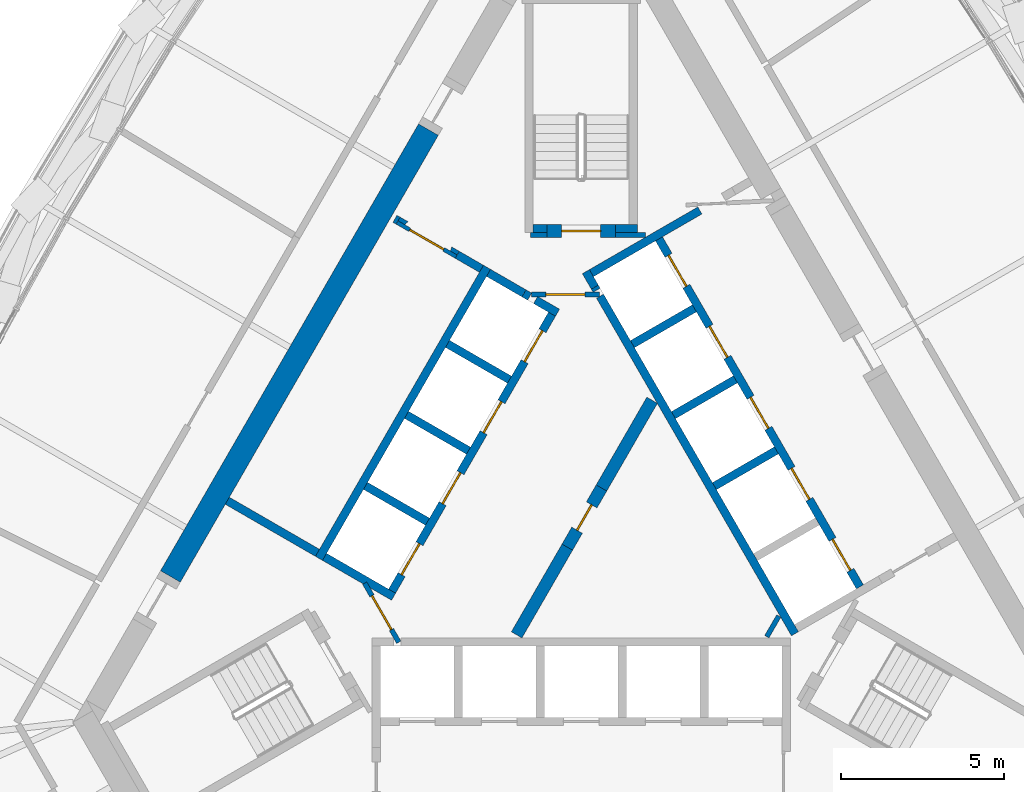
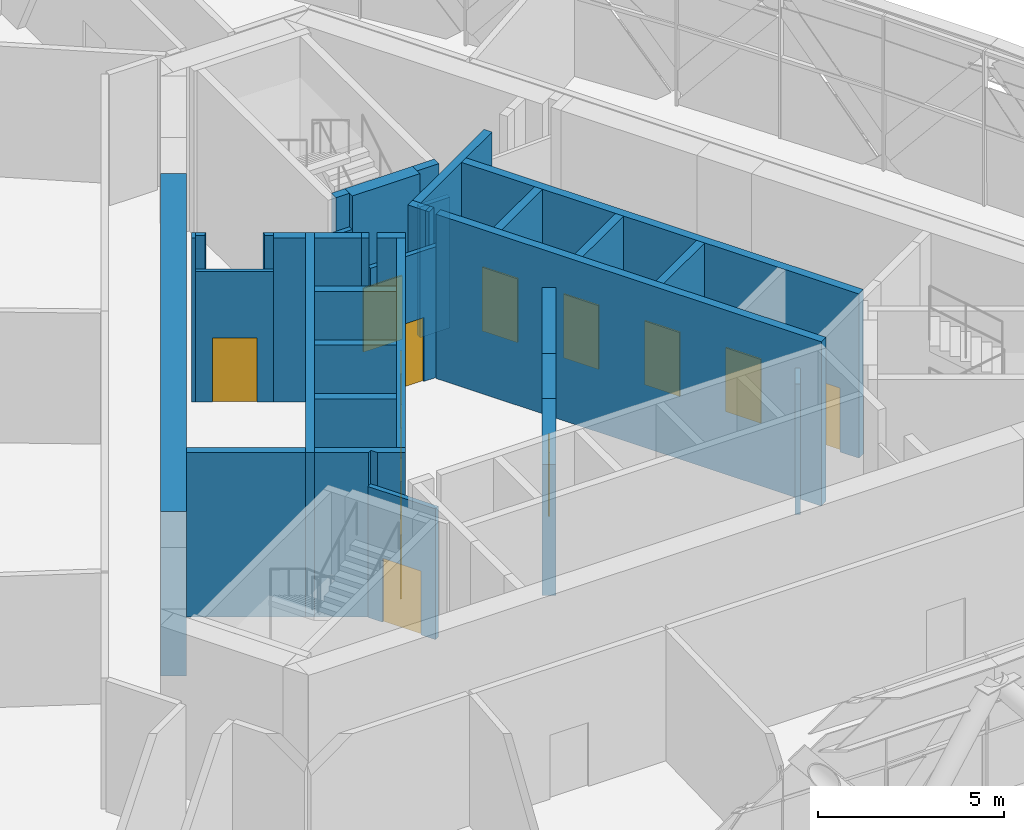
# One storey, part 21 of 33: 35 walls, 14 doors, 14 openings.
"""IFC4 building model written with IfcOpenShell, lengths in metres."""

import ifcopenshell
import ifcopenshell.guid

model = None  # the IFC model being written
_history = None  # IfcOwnerHistory: only IFC2X3 demands one
_inside = {}  # id of a spatial element -> (the spatial element, [elements in it])
_under = {}  # id of a project, library or spatial element -> (it, [spatial elements below it])
_declared = {}  # id of a project -> (the project, [libraries it declares])
_typed = {}  # id of a type object -> (the type object, [elements of that type])
_made_of = {}  # id of a material, layer set ... -> (it, [elements and type objects made of it])


def new_model(schema):
    """Start an empty IFC model of exactly this schema.

    Asked for "IFC4X3", IfcOpenShell would pick the latest addendum, in which some entities
    have other attributes; the version numbers below select the first issue.
    IFC2X3 requires an IfcOwnerHistory on every rooted entity: one is made here for all.
    """
    global model, _history
    if schema == "IFC4X3":
        model = ifcopenshell.file(schema_version=(4, 3, 0, 0))
    else:
        model = ifcopenshell.file(schema=schema)
    _inside.clear()
    _under.clear()
    _declared.clear()
    _typed.clear()
    _made_of.clear()
    _history = None
    if model.schema == "IFC2X3":
        org = make("IfcOrganization", Name="unknown")
        user = make(
            "IfcPersonAndOrganization",
            ThePerson=make("IfcPerson", FamilyName="unknown"),
            TheOrganization=org,
        )
        app = make(
            "IfcApplication",
            ApplicationDeveloper=org,
            Version="unknown",
            ApplicationFullName="unknown",
            ApplicationIdentifier="unknown",
        )
        _history = make(
            "IfcOwnerHistory",
            OwningUser=user,
            OwningApplication=app,
            ChangeAction="ADDED",
            CreationDate=0,
        )
    return model


def make(cls, **values):
    """One entity of the class cls with the attributes given. An attribute that is None is left unset."""
    return model.create_entity(
        cls, **{name: value for name, value in values.items() if value is not None}
    )


def rooted(cls, **values):
    """An entity with a GlobalId (a new one), such as an element, a storey or a relation."""
    return make(cls, GlobalId=ifcopenshell.guid.new(), OwnerHistory=_history, **values)


def si_unit(unit_type, name, prefix=None):
    """IfcSIUnit, for example si_unit("LENGTHUNIT", "METRE", prefix="MILLI")."""
    return make("IfcSIUnit", UnitType=unit_type, Prefix=prefix, Name=name)


def assignment(units):
    """IfcUnitAssignment: the units of a project."""
    return None if units is None else make("IfcUnitAssignment", Units=units)


def point(xyz):
    """IfcCartesianPoint."""
    return None if xyz is None else make("IfcCartesianPoint", Coordinates=xyz)


def direction(xyz):
    """IfcDirection."""
    return None if xyz is None else make("IfcDirection", DirectionRatios=xyz)


def frame(location, z_axis=None, x_axis=None):
    """IfcAxis2Placement3D, a coordinate frame: its origin and axes. An axis left out is left unset."""
    return make(
        "IfcAxis2Placement3D",
        Location=point(location),
        Axis=direction(z_axis),
        RefDirection=direction(x_axis),
    )


def frame_2d(location, x_axis=None):
    """IfcAxis2Placement2D, a coordinate frame in the plane: its origin and x axis."""
    return make(
        "IfcAxis2Placement2D", Location=point(location), RefDirection=direction(x_axis)
    )


def origin():
    """The frame at (0, 0, 0) with its axes left unset."""
    return frame((0.0, 0.0, 0.0))


def place(relative_to, where):
    """IfcLocalPlacement: puts the frame where relative to a parent placement (None: the world)."""
    return make(
        "IfcLocalPlacement", PlacementRelTo=relative_to, RelativePlacement=where
    )


def context(
    kind, dimensions, precision=None, world=None, true_north=None, identifier=None
):
    """IfcGeometricRepresentationContext, for example the 3D "Model" context."""
    return make(
        "IfcGeometricRepresentationContext",
        ContextIdentifier=identifier,
        ContextType=kind,
        CoordinateSpaceDimension=dimensions,
        Precision=precision,
        WorldCoordinateSystem=world,
        TrueNorth=true_north,
    )


def subcontext(parent, identifier, kind, view, scale=None):
    """IfcGeometricRepresentationSubContext, for example "Body" below "Model"."""
    return make(
        "IfcGeometricRepresentationSubContext",
        ContextIdentifier=identifier,
        ContextType=kind,
        ParentContext=parent,
        TargetScale=scale,
        TargetView=view,
    )


def project(units=None, contexts=None):
    """IfcProject with its units and contexts."""
    return rooted(
        "IfcProject",
        Name="project",
        RepresentationContexts=contexts,
        UnitsInContext=assignment(units),
    )


def spatial(cls, under=None, at=None, **own):
    """A site, building, storey or space (cls), placed at a placement, below another one or the project."""
    s = rooted(cls, ObjectPlacement=at, **own)
    if under is not None:
        _under.setdefault(under.id(), (under, []))[1].append(s)
    return s


def polyline(points):
    """IfcPolyline through the points."""
    return make("IfcPolyline", Points=[point(p) for p in points])


def profile(cls, at=None, kind="AREA", **sizes):
    """A parametric profile (cls). Its sizes go by their IFC names, for example OverallWidth=200.0."""
    return make(cls, ProfileType=kind, Position=at, **sizes)


def rectangle(**sizes):
    """IfcRectangleProfileDef."""
    return profile("IfcRectangleProfileDef", **sizes)


def outline(outer, holes=None, kind="AREA"):
    """IfcArbitraryClosedProfileDef: a profile drawn as a closed curve; with holes, ...WithVoids."""
    if holes is None:
        return make("IfcArbitraryClosedProfileDef", ProfileType=kind, OuterCurve=outer)
    return make(
        "IfcArbitraryProfileDefWithVoids",
        ProfileType=kind,
        OuterCurve=outer,
        InnerCurves=holes,
    )


def extrude(swept, where, along, depth):
    """IfcExtrudedAreaSolid: the profile swept, set in the frame where, extruded along a direction by depth."""
    return make(
        "IfcExtrudedAreaSolid",
        SweptArea=swept,
        Position=where,
        ExtrudedDirection=direction(along),
        Depth=depth,
    )


def shape(context_of_items, identifier, shape_type, items):
    """IfcShapeRepresentation: the items that make up one representation, for example the "Body"."""
    return make(
        "IfcShapeRepresentation",
        ContextOfItems=context_of_items,
        RepresentationIdentifier=identifier,
        RepresentationType=shape_type,
        Items=items,
    )


def material(Name=None, Category=None):
    """IfcMaterial."""
    return make("IfcMaterial", Name=Name, Category=Category)


def layer(
    of_material, thickness, ventilated=None, Name=None, Category=None, Priority=None
):
    """IfcMaterialLayer: one layer of a wall or slab, of a material (None: an air gap)."""
    return make(
        "IfcMaterialLayer",
        Material=of_material,
        LayerThickness=thickness,
        IsVentilated=ventilated,
        Name=Name,
        Category=Category,
        Priority=Priority,
    )


def layer_set(layers, Name=None):
    """IfcMaterialLayerSet."""
    return make("IfcMaterialLayerSet", MaterialLayers=layers, LayerSetName=Name)


def made_of(thing, what):
    """Note that an element or type object is made of a material, layer set ...; save() writes the relation."""
    if what is not None:
        _made_of.setdefault(what.id(), (what, []))[1].append(thing)
    return thing


def type_object(cls, material=None, **own):
    """A type object (cls), such as IfcWallType, which elements share."""
    return made_of(rooted(cls, **own), material)


def element(
    cls,
    number,
    at=None,
    inside=None,
    cuts=None,
    type_object=None,
    material=None,
    context=None,
    identifier="Body",
    shape_type=None,
    held_by="IfcProductDefinitionShape",
    body=None,
    shapes=None,
    **own,
):
    """One element of the class cls, such as IfcWall. Its Tag is "e" and its number.

    at: its placement. inside: the storey or other place that contains it. cuts: it is an
    opening in that element (IfcRelVoidsElement). A single representation is given by context,
    identifier, shape_type and body (its items); several are given by shapes. held_by: the class
    of the entity that holds the representations. save() writes the other relations.
    """
    e = rooted(cls, Tag="e%d" % number, ObjectPlacement=at, **own)
    if body is not None:
        shapes = [shape(context, identifier, shape_type, body)]
    if shapes is not None:
        e.Representation = make(held_by, Representations=shapes)
    if inside is not None:
        _inside.setdefault(inside.id(), (inside, []))[1].append(e)
    if cuts is not None:
        rooted(
            "IfcRelVoidsElement", RelatingBuildingElement=cuts, RelatedOpeningElement=e
        )
    if type_object is not None:
        _typed.setdefault(type_object.id(), (type_object, []))[1].append(e)
    return made_of(e, material)


def fill(opening, filler):
    """IfcRelFillsElement: the door or window that sits in an opening."""
    return rooted(
        "IfcRelFillsElement",
        RelatingOpeningElement=opening,
        RelatedBuildingElement=filler,
    )


def aggregate(whole, parts):
    """IfcRelAggregates: a whole, such as a stair, and the parts it consists of."""
    return rooted("IfcRelAggregates", RelatingObject=whole, RelatedObjects=parts)


def save(model, path):
    """Write the relations noted so far, then the file.

    IfcRelAggregates (storeys below a building ...), IfcRelContainedInSpatialStructure (elements
    in a storey), IfcRelDefinesByType, IfcRelAssociatesMaterial and IfcRelDeclares: one each for
    every whole, place, type object, material and project.
    """
    for whole, parts in _under.values():
        aggregate(whole, parts)
    for where, things in _inside.values():
        rooted(
            "IfcRelContainedInSpatialStructure",
            RelatedElements=things,
            RelatingStructure=where,
        )
    for kind, things in _typed.values():
        rooted("IfcRelDefinesByType", RelatedObjects=things, RelatingType=kind)
    for what, things in _made_of.values():
        rooted("IfcRelAssociatesMaterial", RelatedObjects=things, RelatingMaterial=what)
    for by, libraries in _declared.values():
        rooted("IfcRelDeclares", RelatingContext=by, RelatedDefinitions=libraries)
    model.write(path)


model = new_model("IFC4")

# Units and contexts
model_context = context("Model", 3, precision=1e-05, world=origin(), true_north=direction((0.0, 1.0)))
body_context = subcontext(model_context, "Body", "Model", "MODEL_VIEW")
ifc_project = project(units=[si_unit("LENGTHUNIT", "METRE"), si_unit("AREAUNIT", "SQUARE_METRE"), si_unit("VOLUMEUNIT", "CUBIC_METRE"), si_unit("PLANEANGLEUNIT", "RADIAN"), si_unit("MASSUNIT", "GRAM", prefix="KILO")], contexts=[model_context])

# Site, building, storey
site_placement = place(None, origin())
site = spatial("IfcSite", under=ifc_project, at=site_placement, CompositionType="ELEMENT")
building_placement = place(site_placement, origin())
building = spatial("IfcBuilding", under=site, at=building_placement, Name="Mestral Congress Tower", CompositionType="ELEMENT")
storey_placement = place(building_placement, frame((0.0, 0.0, 256.199951171875)))
storey = spatial("IfcBuildingStorey", under=building, at=storey_placement, Name="L60", CompositionType="ELEMENT", Elevation=256.199951171875)

# Walls
ifc_material_1 = material(Name="Fire-rated board partition")
ifc_layer_1 = layer(ifc_material_1, 0.14990234375)
ifc_layer_set_1 = layer_set([ifc_layer_1], Name="Fire-rated board partition")
wall_type_1 = type_object("IfcWallType", Name="Core partition 150", PredefinedType="PARTITIONING", material=ifc_layer_set_1)
wall_1_placement = place(storey_placement, frame((1.050048828125, 8.62548828125, 0.0), z_axis=(0.0, 0.0, 1.0), x_axis=(1.0, 0.0, 0.0)))
element("IfcWall", 1, at=wall_1_placement, inside=storey, type_object=wall_type_1, Name="L60 core wall", PredefinedType="PARTITIONING", context=body_context, shape_type="SweptSolid", body=[
    extrude(rectangle(XDim=0.9287109375, YDim=0.14990234375, at=frame_2d((0.46435546875, 0.0))), origin(), (0.0, 0.0, 1.0), 4.300048828125),
])
wall_2_placement = place(storey_placement, frame((-1.56396484375, 8.62548828125, 0.0), z_axis=(0.0, 0.0, 1.0), x_axis=(1.0, 0.0, 0.0)))
element("IfcWall", 2, at=wall_2_placement, inside=storey, type_object=wall_type_1, Name="L60 core wall", PredefinedType="PARTITIONING", context=body_context, shape_type="SweptSolid", body=[
    extrude(rectangle(XDim=0.513916015625, YDim=0.14990234375, at=frame_2d((0.2568359375, 0.0))), origin(), (0.0, 0.0, 1.0), 4.300048828125),
])
wall_3_placement = place(storey_placement, frame((5.704833984375, -3.718017578125, 0.0), z_axis=(0.0, 0.0, 1.0), x_axis=(0.499962090823, 0.866047289552, 0.0)))
element("IfcWall", 3, at=wall_3_placement, inside=storey, type_object=wall_type_1, Name="L60 core wall", PredefinedType="PARTITIONING", context=body_context, shape_type="SweptSolid", body=[
    extrude(rectangle(XDim=0.73486328125, YDim=0.14990234375, at=frame_2d((0.367431640625, 0.0))), origin(), (0.0, 0.0, 1.0), 4.300048828125),
])
placement = place(storey_placement, origin())
element("IfcWall", 4, at=placement, inside=storey, type_object=wall_type_1, Name="L60 core wall", PredefinedType="PARTITIONING", context=body_context, shape_type="SweptSolid", body=[
    extrude(outline(polyline([(2.016845703125, 3.64306640625), (2.341552734375, 3.45556640625), (0.784912109375, 0.759521484375), (0.460205078125, 0.947021484375), (2.016845703125, 3.64306640625)])), origin(), (0.0, 0.0, 1.0), 4.300048828125),
])
element("IfcWall", 5, at=placement, inside=storey, type_object=wall_type_1, Name="L60 core wall", PredefinedType="PARTITIONING", context=body_context, shape_type="SweptSolid", body=[
    extrude(outline(polyline([(-0.590087890625, -0.871826171875), (-0.26513671875, -1.059326171875), (-1.822021484375, -3.755615234375), (-2.146728515625, -3.568115234375), (-0.590087890625, -0.871826171875)])), origin(), (0.0, 0.0, 1.0), 4.300048828125),
])

# Wall, opening, door
wall_6_placement = place(storey_placement, frame((-1.534423828125, 6.800048828125, 0.0), z_axis=(0.0, 0.0, 1.0), x_axis=(1.0, 0.0, 0.0)))
wall_6 = element("IfcWall", 6, at=wall_6_placement, inside=storey, type_object=wall_type_1, Name="L60 door wall", PredefinedType="PARTITIONING", context=body_context, shape_type="SweptSolid", body=[
    extrude(rectangle(XDim=2.099853515625, YDim=0.14990234375, at=frame_2d((1.0498046875, 0.0))), origin(), (0.0, 0.0, 1.0), 4.300048828125),
])
opening_1_placement = place(wall_6_placement, frame((0.449951171875, 0.0, 0.0)))
opening_1 = element("IfcOpeningElement", 7, at=opening_1_placement, cuts=wall_6, Name="Opening CD2-FF", PredefinedType="OPENING", context=body_context, shape_type="SweptSolid", body=[
    extrude(rectangle(XDim=1.199951171875, YDim=2.10009765625, at=frame_2d((0.60009765625, 1.050048828125))), frame((0.0, 0.0849609375, 0.0), z_axis=(0.0, -1.0, 0.0), x_axis=(1.0, 0.0, 0.0)), (0.0, 0.0, 1.0), 0.169921875),
])
ifc_material_2 = material(Name="Fire-rated steel door set", Category="steel")
door_type_1 = type_object("IfcDoorType", Name="Core door CD 1200x2100", OperationType="SINGLE_SWING_LEFT", PredefinedType="DOOR", material=ifc_material_2)
door_1_placement = place(opening_1_placement, origin())
door_1 = element("IfcDoor", 8, at=door_1_placement, inside=storey, type_object=door_type_1, Name="Door CD2-FF", OperationType="SINGLE_SWING_LEFT", OverallHeight=2.10009765625, OverallWidth=1.199951171875, PredefinedType="DOOR", context=body_context, shape_type="SweptSolid", body=[
    extrude(rectangle(XDim=1.199951171875, YDim=2.10009765625, at=frame_2d((0.60009765625, 1.050048828125))), frame((0.0, 0.02490234375, 0.0), z_axis=(0.0, -1.0, 0.0), x_axis=(1.0, 0.0, 0.0)), (0.0, 0.0, 1.0), 0.050048828125),
])
fill(opening_1, door_1)

wall_7_placement = place(storey_placement, frame((-5.606201171875, -3.8896484375, 0.0), z_axis=(0.0, 0.0, 1.0), x_axis=(-0.500027713859, 0.866009402589, 0.0)))
wall_7 = element("IfcWall", 9, at=wall_7_placement, inside=storey, type_object=wall_type_1, Name="L60 door wall", PredefinedType="PARTITIONING", context=body_context, shape_type="SweptSolid", body=[
    extrude(rectangle(XDim=2.10009765625, YDim=0.14990234375, at=frame_2d((1.050048828125, 0.0))), origin(), (0.0, 0.0, 1.0), 4.300048828125),
])
opening_2_placement = place(wall_7_placement, frame((0.449951171875, 0.0, 0.0)))
opening_2 = element("IfcOpeningElement", 10, at=opening_2_placement, cuts=wall_7, Name="Opening CD3-FF", PredefinedType="OPENING", context=body_context, shape_type="SweptSolid", body=[
    extrude(rectangle(XDim=1.199951171875, YDim=2.10009765625, at=frame_2d((0.60009765625, 1.050048828125))), frame((0.0, 0.0849609375, 0.0), z_axis=(0.0, -1.0, 0.0), x_axis=(1.0, 0.0, 0.0)), (0.0, 0.0, 1.0), 0.169921875),
])
door_2_placement = place(opening_2_placement, origin())
door_2 = element("IfcDoor", 11, at=door_2_placement, inside=storey, type_object=door_type_1, Name="Door CD3-FF", OperationType="SINGLE_SWING_LEFT", OverallHeight=2.10009765625, OverallWidth=1.199951171875, PredefinedType="DOOR", context=body_context, shape_type="SweptSolid", body=[
    extrude(rectangle(XDim=1.199951171875, YDim=2.10009765625, at=frame_2d((0.60009765625, 1.050048828125))), frame((0.0, 0.02490234375, 0.0), z_axis=(0.0, -1.0, 0.0), x_axis=(1.0, 0.0, 0.0)), (0.0, 0.0, 1.0), 0.050048828125),
])
fill(opening_2, door_2)

ifc_layer_2 = layer(ifc_material_1, 0.1201171875)
ifc_layer_set_2 = layer_set([ifc_layer_2], Name="Fire-rated board partition")
wall_type_2 = type_object("IfcWallType", Name="Core partition 150 door-wall 120", PredefinedType="PARTITIONING", material=ifc_layer_set_2)
wall_8_placement = place(storey_placement, frame((-5.65869140625, 9.01171875, 0.0), z_axis=(0.0, 0.0, 1.0), x_axis=(0.866009402589, -0.500027713859, 0.0)))
wall_8 = element("IfcWall", 12, at=wall_8_placement, inside=storey, type_object=wall_type_2, Name="L60 door wall", PredefinedType="PARTITIONING", context=body_context, shape_type="SweptSolid", body=[
    extrude(rectangle(XDim=2.10009765625, YDim=0.1201171875, at=frame_2d((1.050048828125, 0.0))), origin(), (0.0, 0.0, 1.0), 4.300048828125),
])
opening_3_placement = place(wall_8_placement, frame((0.449951171875, 0.0, 0.0)))
opening_3 = element("IfcOpeningElement", 13, at=opening_3_placement, cuts=wall_8, Name="Opening LB2-WL2", PredefinedType="OPENING", context=body_context, shape_type="SweptSolid", body=[
    extrude(rectangle(XDim=1.199951171875, YDim=2.10009765625, at=frame_2d((0.60009765625, 1.050048828125))), frame((0.0, 0.070068359375, 0.0), z_axis=(0.0, -1.0, 0.0), x_axis=(1.0, 0.0, 0.0)), (0.0, 0.0, 1.0), 0.14013671875),
])
door_type_2 = type_object("IfcDoorType", Name="Core door LB 1200x2100", OperationType="SINGLE_SWING_LEFT", PredefinedType="DOOR", material=ifc_material_2)
door_3_placement = place(opening_3_placement, origin())
door_3 = element("IfcDoor", 14, at=door_3_placement, inside=storey, type_object=door_type_2, Name="Door LB2-WL2", OperationType="SINGLE_SWING_LEFT", OverallHeight=2.10009765625, OverallWidth=1.199951171875, PredefinedType="DOOR", context=body_context, shape_type="SweptSolid", body=[
    extrude(rectangle(XDim=1.199951171875, YDim=2.10009765625, at=frame_2d((0.60009765625, 1.050048828125))), frame((0.0, 0.02490234375, 0.0), z_axis=(0.0, -1.0, 0.0), x_axis=(1.0, 0.0, 0.0)), (0.0, 0.0, 1.0), 0.050048828125),
])
fill(opening_3, door_3)

ifc_layer_3 = layer(ifc_material_1, 0.375)
ifc_layer_set_3 = layer_set([ifc_layer_3], Name="Fire-rated board partition")
wall_type_3 = type_object("IfcWallType", Name="Core partition 150 door-wall 375", PredefinedType="PARTITIONING", material=ifc_layer_set_3)
wall_9_placement = place(storey_placement, frame((-0.427490234375, -0.965576171875, 0.0), z_axis=(0.0, 0.0, 1.0), x_axis=(0.49994051562, 0.866059744384, 0.0)))
wall_9 = element("IfcWall", 15, at=wall_9_placement, inside=storey, type_object=wall_type_3, Name="L60 door wall", PredefinedType="PARTITIONING", context=body_context, shape_type="SweptSolid", body=[
    extrude(rectangle(XDim=2.099853515625, YDim=0.375, at=frame_2d((1.0498046875, 0.0))), origin(), (0.0, 0.0, 1.0), 4.300048828125),
])
opening_4_placement = place(wall_9_placement, frame((0.60009765625, 0.0, 0.0)))
opening_4 = element("IfcOpeningElement", 16, at=opening_4_placement, cuts=wall_9, Name="Opening CD1-HUB0", PredefinedType="OPENING", context=body_context, shape_type="SweptSolid", body=[
    extrude(rectangle(XDim=0.89990234375, YDim=2.10009765625, at=frame_2d((0.449951171875, 1.050048828125))), frame((0.0, 0.197509765625, 0.0), z_axis=(0.0, -1.0, 0.0), x_axis=(1.0, 0.0, 0.0)), (0.0, 0.0, 1.0), 0.39501953125),
])
door_type_3 = type_object("IfcDoorType", Name="Core door CD 900x2100", OperationType="SINGLE_SWING_LEFT", PredefinedType="DOOR", material=ifc_material_2)
door_4_placement = place(opening_4_placement, origin())
door_4 = element("IfcDoor", 17, at=door_4_placement, inside=storey, type_object=door_type_3, Name="Door CD1-HUB0", OperationType="SINGLE_SWING_LEFT", OverallHeight=2.10009765625, OverallWidth=0.89990234375, PredefinedType="DOOR", context=body_context, shape_type="SweptSolid", body=[
    extrude(rectangle(XDim=0.89990234375, YDim=2.10009765625, at=frame_2d((0.449951171875, 1.050048828125))), frame((0.0, 0.02490234375, 0.0), z_axis=(0.0, -1.0, 0.0), x_axis=(1.0, 0.0, 0.0)), (0.0, 0.0, 1.0), 0.050048828125),
])
fill(opening_4, door_4)

# Walls
ifc_material_3 = material(Name="Concrete C60/75", Category="concrete")
ifc_layer_4 = layer(ifc_material_3, 0.699951171875)
ifc_layer_set_4 = layer_set([ifc_layer_4], Name="Concrete C60/75")
wall_type_4 = type_object("IfcWallType", Name="Core wall RC 700", PredefinedType="SOLIDWALL", material=ifc_layer_set_4)
wall_10_placement = place(storey_placement, frame((-12.624755859375, -1.866943359375, 0.0), z_axis=(0.0, 0.0, 1.0), x_axis=(0.499996974394, 0.866027150612, 0.0)))
element("IfcWall", 18, at=wall_10_placement, inside=storey, type_object=wall_type_4, Name="L60 core wall", PredefinedType="SOLIDWALL", context=body_context, shape_type="SweptSolid", body=[
    extrude(rectangle(XDim=15.8583984375, YDim=0.699951171875, at=frame_2d((7.92919921875, 0.0))), origin(), (0.0, 0.0, 1.0), 5.400146484375),
])
ifc_layer_5 = layer(ifc_material_3, 0.25)
ifc_layer_set_5 = layer_set([ifc_layer_5], Name="Concrete C60/75")
wall_type_5 = type_object("IfcWallType", Name="Shaft wall RC 250", PredefinedType="SOLIDWALL", material=ifc_layer_set_5)
wall_11_placement = place(storey_placement, frame((0.473388671875, 6.93017578125, 0.0), z_axis=(0.0, 0.0, 1.0), x_axis=(-0.49972245349, 0.866185586049, 0.0)))
element("IfcWall", 19, at=wall_11_placement, inside=storey, type_object=wall_type_5, Name="L60 core wall", PredefinedType="SOLIDWALL", context=body_context, shape_type="SweptSolid", body=[
    extrude(rectangle(XDim=0.10986328125, YDim=0.25, at=frame_2d((0.054931640625, 0.0))), origin(), (0.0, 0.0, 1.0), 5.400146484375),
])
wall_12_placement = place(storey_placement, frame((6.568359375, -3.626708984375, 0.0), z_axis=(0.0, 0.0, 1.0), x_axis=(-0.499999455981, 0.866025717874, 0.0)))
element("IfcWall", 20, at=wall_12_placement, inside=storey, type_object=wall_type_5, Name="L60 core wall", PredefinedType="SOLIDWALL", context=body_context, shape_type="SweptSolid", body=[
    extrude(rectangle(XDim=11.97802734375, YDim=0.25, at=frame_2d((5.989013671875, 0.0))), origin(), (0.0, 0.0, 1.0), 5.400146484375),
])
wall_13_placement = place(storey_placement, frame((0.41748046875, 7.027099609375, 0.0), z_axis=(0.0, 0.0, 1.0), x_axis=(-0.500210807569, 0.865903659763, 0.0)))
element("IfcWall", 21, at=wall_13_placement, inside=storey, type_object=wall_type_5, Name="L60 core wall", PredefinedType="SOLIDWALL", context=body_context, shape_type="SweptSolid", body=[
    extrude(rectangle(XDim=0.548095703125, YDim=0.25, at=frame_2d((0.27392578125, 0.0))), origin(), (0.0, 0.0, 1.0), 5.400146484375),
])
wall_14_placement = place(storey_placement, frame((3.647216796875, 9.38037109375, 0.0), z_axis=(0.0, 0.0, 1.0), x_axis=(-0.866025015791, -0.500000672024, 0.0)))
element("IfcWall", 22, at=wall_14_placement, inside=storey, type_object=wall_type_5, Name="L60 core wall", PredefinedType="SOLIDWALL", context=body_context, shape_type="SweptSolid", body=[
    extrude(rectangle(XDim=3.8486328125, YDim=0.25, at=frame_2d((1.92431640625, 0.0))), origin(), (0.0, 0.0, 1.0), 5.400146484375),
])
wall_15_placement = place(storey_placement, frame((1.57421875, 5.273681640625, 0.0), z_axis=(0.0, 0.0, 1.0), x_axis=(0.866028486751, 0.499994660107, 0.0)))
element("IfcWall", 23, at=wall_15_placement, inside=storey, type_object=wall_type_5, Name="L60 core wall", PredefinedType="SOLIDWALL", context=body_context, shape_type="SweptSolid", body=[
    extrude(rectangle(XDim=2.19970703125, YDim=0.25, at=frame_2d((1.099853515625, 0.0))), origin(), (0.0, 0.0, 1.0), 5.400146484375),
])
for number, where, z_axis, x_axis, name in (
    (24, (2.833984375, 3.091064453125, 0.0), (0.0, 0.0, 1.0), (0.866008176907, 0.50002983664, 0.0), "L60 core wall"),
    (25, (4.093994140625, 0.90869140625, 0.0), (0.0, 0.0, 1.0), (0.866008176907, 0.50002983664, 0.0), "L60 core wall"),
):
    element("IfcWall", number, at=place(storey_placement, frame(where, z_axis=z_axis, x_axis=x_axis)), inside=storey, type_object=wall_type_5, Name=name, PredefinedType="SOLIDWALL", context=body_context, shape_type="SweptSolid", body=[
        extrude(rectangle(XDim=2.199951171875, YDim=0.25, at=frame_2d((1.10009765625, 0.0))), origin(), (0.0, 0.0, 1.0), 5.400146484375),
    ])
wall_16_placement = place(storey_placement, frame((-8.06005859375, -1.310546875, 0.0), z_axis=(0.0, 0.0, 1.0), x_axis=(0.50000273126, 0.866023826885, 0.0)))
element("IfcWall", 26, at=wall_16_placement, inside=storey, type_object=wall_type_5, Name="L60 core wall", PredefinedType="SOLIDWALL", context=body_context, shape_type="SweptSolid", body=[
    extrude(rectangle(XDim=10.330078125, YDim=0.25, at=frame_2d((5.1650390625, 0.0))), origin(), (0.0, 0.0, 1.0), 5.400146484375),
])
wall_17_placement = place(storey_placement, frame((-1.75830078125, 6.834716796875, 0.0), z_axis=(0.0, 0.0, 1.0), x_axis=(0.865982457891, -0.500074377092, 0.0)))
element("IfcWall", 27, at=wall_17_placement, inside=storey, type_object=wall_type_5, Name="L60 core wall", PredefinedType="SOLIDWALL", context=body_context, shape_type="SweptSolid", body=[
    extrude(rectangle(XDim=0.2001953125, YDim=0.25, at=frame_2d((0.10009765625, 0.0))), origin(), (0.0, 0.0, 1.0), 5.400146484375),
])
wall_18_placement = place(storey_placement, frame((-1.760009765625, 6.835693359375, 0.0), z_axis=(0.0, 0.0, 1.0), x_axis=(-0.865952863304, 0.500125622755, 0.0)))
element("IfcWall", 28, at=wall_18_placement, inside=storey, type_object=wall_type_5, Name="L60 core wall", PredefinedType="SOLIDWALL", context=body_context, shape_type="SweptSolid", body=[
    extrude(rectangle(XDim=1.258056640625, YDim=0.25, at=frame_2d((0.62890625, 0.0))), origin(), (0.0, 0.0, 1.0), 5.400146484375),
])
wall_19_placement = place(storey_placement, frame((-0.7275390625, 6.23974609375, 0.0), z_axis=(0.0, 0.0, 1.0), x_axis=(-0.865955664968, 0.500120771724, 0.0)))
element("IfcWall", 29, at=wall_19_placement, inside=storey, type_object=wall_type_5, Name="L60 core wall", PredefinedType="SOLIDWALL", context=body_context, shape_type="SweptSolid", body=[
    extrude(rectangle(XDim=0.778076171875, YDim=0.25, at=frame_2d((0.38916015625, 0.0))), origin(), (0.0, 0.0, 1.0), 5.400146484375),
])
for number, where, z_axis, x_axis, name in (
    (30, (-2.2041015625, 4.182373046875, 0.0), (0.0, 0.0, 1.0), (-0.866008176907, 0.50002983664, 0.0), "L60 core wall"),
    (31, (-5.369384765625, 3.10009765625, 0.0), (0.0, 0.0, 1.0), (0.866008176907, -0.50002983664, 0.0), "L60 core wall"),
    (32, (-4.72412109375, -0.182373046875, 0.0), (0.0, 0.0, 1.0), (-0.866008176907, 0.50002983664, 0.0), "L60 core wall"),
):
    element("IfcWall", number, at=place(storey_placement, frame(where, z_axis=z_axis, x_axis=x_axis)), inside=storey, type_object=wall_type_5, Name=name, PredefinedType="SOLIDWALL", context=body_context, shape_type="SweptSolid", body=[
        extrude(rectangle(XDim=2.199951171875, YDim=0.25, at=frame_2d((1.10009765625, 0.0))), origin(), (0.0, 0.0, 1.0), 5.400146484375),
    ])
element("IfcWall", 33, at=placement, inside=storey, type_object=wall_type_5, Name="L60 core wall", PredefinedType="SOLIDWALL", context=body_context, shape_type="SweptSolid", body=[
    extrude(outline(polyline([(-5.921630859375, -2.256591796875), (-5.921630859375, -2.256591796875), (-5.705078125, -2.381591796875), (-5.830078125, -2.597900390625), (-6.48291015625, -2.22119140625), (-6.59130859375, -2.033447265625), (-6.59130859375, -2.033447265625), (-6.69970703125, -2.095947265625), (-7.951904296875, -1.373046875), (-7.826904296875, -1.156494140625), (-5.921630859375, -2.256591796875)])), origin(), (0.0, 0.0, 1.0), 5.400146484375),
])
wall_21_placement = place(storey_placement, frame((-8.10595703125, -1.139892578125, 0.0), z_axis=(0.0, 0.0, 1.0), x_axis=(-0.866008981251, 0.500028443584, 0.0)))
element("IfcWall", 34, at=wall_21_placement, inside=storey, type_object=wall_type_5, Name="L60 core wall", PredefinedType="SOLIDWALL", context=body_context, shape_type="SweptSolid", body=[
    extrude(rectangle(XDim=3.199951171875, YDim=0.25, at=frame_2d((1.60009765625, 0.0))), origin(), (0.0, 0.0, 1.0), 5.400146484375),
])
wall_22_placement = place(storey_placement, frame((-5.724609375, 9.124755859375, 0.0), z_axis=(0.0, 0.0, 1.0), x_axis=(0.866185586049, -0.49972245349, 0.0)))
element("IfcWall", 35, at=wall_22_placement, inside=storey, type_object=wall_type_5, Name="L60 core wall", PredefinedType="SOLIDWALL", context=body_context, shape_type="SweptSolid", body=[
    extrude(rectangle(XDim=0.10986328125, YDim=0.25, at=frame_2d((0.054931640625, 0.0))), origin(), (0.0, 0.0, 1.0), 5.400146484375),
])
wall_23_placement = place(storey_placement, frame((-3.06591796875, 7.58984375, 0.0), z_axis=(0.0, 0.0, 1.0), x_axis=(-0.866081358704, 0.49990307071, 0.0)))
element("IfcWall", 36, at=wall_23_placement, inside=storey, type_object=wall_type_5, Name="L60 core wall", PredefinedType="SOLIDWALL", context=body_context, shape_type="SweptSolid", body=[
    extrude(rectangle(XDim=0.858154296875, YDim=0.25, at=frame_2d((0.42919921875, 0.0))), origin(), (0.0, 0.0, 1.0), 5.400146484375),
])
element("IfcWall", 37, at=placement, inside=storey, type_object=wall_type_5, Name="L60 core wall", PredefinedType="SOLIDWALL", context=body_context, shape_type="SweptSolid", body=[
    extrude(outline(polyline([(-3.748291015625, 8.1279296875), (-3.813232421875, 8.015380859375), (-4.026611328125, 8.138671875), (-4.0166015625, 8.156005859375), (-4.007568359375, 8.17333984375), (-4.000244140625, 8.191650390625), (-3.994873046875, 8.21044921875), (-3.991455078125, 8.229736328125), (-3.98974609375, 8.24951171875), (-3.989990234375, 8.267578125), (-3.748291015625, 8.1279296875)])), origin(), (0.0, 0.0, 1.0), 5.400146484375),
])
element("IfcWall", 38, at=placement, inside=storey, type_object=wall_type_5, Name="L60 core wall", PredefinedType="SOLIDWALL", context=body_context, shape_type="SweptSolid", body=[
    extrude(outline(polyline([(-5.688720703125, 8.959716796875), (-5.690185546875, 8.960693359375), (-5.565185546875, 9.177001953125), (-5.318603515625, 9.03466796875), (-5.334716796875, 9.02587890625), (-5.3505859375, 9.0146484375), (-5.36572265625, 9.001953125), (-5.37939453125, 8.98779296875), (-5.3916015625, 8.972412109375), (-5.402099609375, 8.955810546875), (-5.412109375, 8.938720703125), (-5.628662109375, 9.063720703125), (-5.628662109375, 9.063720703125), (-5.688720703125, 8.959716796875)])), origin(), (0.0, 0.0, 1.0), 5.400146484375),
])

# Wall, openings, doors
wall_26_placement = place(storey_placement, frame((8.565185546875, -2.185302734375, 0.0), z_axis=(0.0, 0.0, 1.0), x_axis=(-0.499997954832, 0.866026584559, 0.0)))
wall_26 = element("IfcWall", 39, at=wall_26_placement, inside=storey, type_object=wall_type_5, Name="L60 door wall", PredefinedType="SOLIDWALL", context=body_context, shape_type="SweptSolid", body=[
    extrude(rectangle(XDim=12.35009765625, YDim=0.25, at=frame_2d((6.175048828125, 0.0))), origin(), (0.0, 0.0, 1.0), 5.400146484375),
])
opening_5_placement = place(wall_26_placement, frame((0.5849609375, 0.0, 0.0)))
opening_5 = element("IfcOpeningElement", 40, at=opening_5_placement, cuts=wall_26, Name="Opening LD-NEB1", PredefinedType="OPENING", context=body_context, shape_type="SweptSolid", body=[
    extrude(rectangle(XDim=1.10009765625, YDim=2.10009765625, at=frame_2d((0.550048828125, 1.050048828125))), frame((0.0, 0.135009765625, 0.0), z_axis=(0.0, -1.0, 0.0), x_axis=(1.0, 0.0, 0.0)), (0.0, 0.0, 1.0), 0.27001953125),
])
opening_6_placement = place(wall_26_placement, frame((3.10498046875, 0.0, 0.0)))
opening_6 = element("IfcOpeningElement", 41, at=opening_6_placement, cuts=wall_26, Name="Opening LD-NEB2", PredefinedType="OPENING", context=body_context, shape_type="SweptSolid", body=[
    extrude(rectangle(XDim=1.10009765625, YDim=2.10009765625, at=frame_2d((0.550048828125, 1.050048828125))), frame((0.0, 0.135009765625, 0.0), z_axis=(0.0, -1.0, 0.0), x_axis=(1.0, 0.0, 0.0)), (0.0, 0.0, 1.0), 0.27001953125),
])
opening_7_placement = place(wall_26_placement, frame((5.625, 0.0, 0.0)))
opening_7 = element("IfcOpeningElement", 42, at=opening_7_placement, cuts=wall_26, Name="Opening LD-NEB3", PredefinedType="OPENING", context=body_context, shape_type="SweptSolid", body=[
    extrude(rectangle(XDim=1.10009765625, YDim=2.10009765625, at=frame_2d((0.550048828125, 1.050048828125))), frame((0.0, 0.135009765625, 0.0), z_axis=(0.0, -1.0, 0.0), x_axis=(1.0, 0.0, 0.0)), (0.0, 0.0, 1.0), 0.27001953125),
])
opening_8_placement = place(wall_26_placement, frame((8.14501953125, 0.0, 0.0)))
opening_8 = element("IfcOpeningElement", 43, at=opening_8_placement, cuts=wall_26, Name="Opening LD-NEB4", PredefinedType="OPENING", context=body_context, shape_type="SweptSolid", body=[
    extrude(rectangle(XDim=1.10009765625, YDim=2.10009765625, at=frame_2d((0.550048828125, 1.050048828125))), frame((0.0, 0.135009765625, 0.0), z_axis=(0.0, -1.0, 0.0), x_axis=(1.0, 0.0, 0.0)), (0.0, 0.0, 1.0), 0.27001953125),
])
opening_9_placement = place(wall_26_placement, frame((10.6650390625, 0.0, 0.0)))
opening_9 = element("IfcOpeningElement", 44, at=opening_9_placement, cuts=wall_26, Name="Opening LD-NEB5", PredefinedType="OPENING", context=body_context, shape_type="SweptSolid", body=[
    extrude(rectangle(XDim=1.10009765625, YDim=2.10009765625, at=frame_2d((0.550048828125, 1.050048828125))), frame((0.0, 0.135009765625, 0.0), z_axis=(0.0, -1.0, 0.0), x_axis=(1.0, 0.0, 0.0)), (0.0, 0.0, 1.0), 0.27001953125),
])
door_type_4 = type_object("IfcDoorType", Name="Core door LD 1100x2100", OperationType="DOUBLE_DOOR_SLIDING", PredefinedType="DOOR", material=ifc_material_2)
door_5_placement = place(opening_5_placement, origin())
door_5 = element("IfcDoor", 45, at=door_5_placement, inside=storey, type_object=door_type_4, Name="Door LD-NEB1", OperationType="DOUBLE_DOOR_SLIDING", OverallHeight=2.10009765625, OverallWidth=1.10009765625, PredefinedType="DOOR", context=body_context, shape_type="SweptSolid", body=[
    extrude(rectangle(XDim=1.10009765625, YDim=2.10009765625, at=frame_2d((0.550048828125, 1.050048828125))), frame((0.0, 0.02490234375, 0.0), z_axis=(0.0, -1.0, 0.0), x_axis=(1.0, 0.0, 0.0)), (0.0, 0.0, 1.0), 0.050048828125),
])
fill(opening_5, door_5)
door_6_placement = place(opening_6_placement, origin())
door_6 = element("IfcDoor", 46, at=door_6_placement, inside=storey, type_object=door_type_4, Name="Door LD-NEB2", OperationType="DOUBLE_DOOR_SLIDING", OverallHeight=2.10009765625, OverallWidth=1.10009765625, PredefinedType="DOOR", context=body_context, shape_type="SweptSolid", body=[
    extrude(rectangle(XDim=1.10009765625, YDim=2.10009765625, at=frame_2d((0.550048828125, 1.050048828125))), frame((0.0, 0.02490234375, 0.0), z_axis=(0.0, -1.0, 0.0), x_axis=(1.0, 0.0, 0.0)), (0.0, 0.0, 1.0), 0.050048828125),
])
fill(opening_6, door_6)
door_7_placement = place(opening_7_placement, origin())
door_7 = element("IfcDoor", 47, at=door_7_placement, inside=storey, type_object=door_type_4, Name="Door LD-NEB3", OperationType="DOUBLE_DOOR_SLIDING", OverallHeight=2.10009765625, OverallWidth=1.10009765625, PredefinedType="DOOR", context=body_context, shape_type="SweptSolid", body=[
    extrude(rectangle(XDim=1.10009765625, YDim=2.10009765625, at=frame_2d((0.550048828125, 1.050048828125))), frame((0.0, 0.02490234375, 0.0), z_axis=(0.0, -1.0, 0.0), x_axis=(1.0, 0.0, 0.0)), (0.0, 0.0, 1.0), 0.050048828125),
])
fill(opening_7, door_7)
door_8_placement = place(opening_8_placement, origin())
door_8 = element("IfcDoor", 48, at=door_8_placement, inside=storey, type_object=door_type_4, Name="Door LD-NEB4", OperationType="DOUBLE_DOOR_SLIDING", OverallHeight=2.10009765625, OverallWidth=1.10009765625, PredefinedType="DOOR", context=body_context, shape_type="SweptSolid", body=[
    extrude(rectangle(XDim=1.10009765625, YDim=2.10009765625, at=frame_2d((0.550048828125, 1.050048828125))), frame((0.0, 0.02490234375, 0.0), z_axis=(0.0, -1.0, 0.0), x_axis=(1.0, 0.0, 0.0)), (0.0, 0.0, 1.0), 0.050048828125),
])
fill(opening_8, door_8)
door_9_placement = place(opening_9_placement, origin())
door_9 = element("IfcDoor", 49, at=door_9_placement, inside=storey, type_object=door_type_4, Name="Door LD-NEB5", OperationType="DOUBLE_DOOR_SLIDING", OverallHeight=2.10009765625, OverallWidth=1.10009765625, PredefinedType="DOOR", context=body_context, shape_type="SweptSolid", body=[
    extrude(rectangle(XDim=1.10009765625, YDim=2.10009765625, at=frame_2d((0.550048828125, 1.050048828125))), frame((0.0, 0.02490234375, 0.0), z_axis=(0.0, -1.0, 0.0), x_axis=(1.0, 0.0, 0.0)), (0.0, 0.0, 1.0), 0.050048828125),
])
fill(opening_9, door_9)

wall_27_placement = place(storey_placement, frame((-0.898193359375, 6.194091796875, 0.0), z_axis=(0.0, 0.0, 1.0), x_axis=(-0.499996202215, -0.866027596426, 0.0)))
wall_27 = element("IfcWall", 50, at=wall_27_placement, inside=storey, type_object=wall_type_5, Name="L60 door wall", PredefinedType="SOLIDWALL", context=body_context, shape_type="SweptSolid", body=[
    extrude(rectangle(XDim=9.830078125, YDim=0.25, at=frame_2d((4.9150390625, 0.0))), origin(), (0.0, 0.0, 1.0), 5.400146484375),
])
opening_10_placement = place(wall_27_placement, frame((0.5849609375, 0.0, 0.0)))
opening_10 = element("IfcOpeningElement", 51, at=opening_10_placement, cuts=wall_27, Name="Opening LD-NWB1", PredefinedType="OPENING", context=body_context, shape_type="SweptSolid", body=[
    extrude(rectangle(XDim=1.10009765625, YDim=2.10009765625, at=frame_2d((0.550048828125, 1.050048828125))), frame((0.0, 0.135009765625, 0.0), z_axis=(0.0, -1.0, 0.0), x_axis=(1.0, 0.0, 0.0)), (0.0, 0.0, 1.0), 0.27001953125),
])
opening_11_placement = place(wall_27_placement, frame((3.10498046875, 0.0, 0.0)))
opening_11 = element("IfcOpeningElement", 52, at=opening_11_placement, cuts=wall_27, Name="Opening LD-NWB2", PredefinedType="OPENING", context=body_context, shape_type="SweptSolid", body=[
    extrude(rectangle(XDim=1.10009765625, YDim=2.10009765625, at=frame_2d((0.550048828125, 1.050048828125))), frame((0.0, 0.135009765625, 0.0), z_axis=(0.0, -1.0, 0.0), x_axis=(1.0, 0.0, 0.0)), (0.0, 0.0, 1.0), 0.27001953125),
])
opening_12_placement = place(wall_27_placement, frame((5.625, 0.0, 0.0)))
opening_12 = element("IfcOpeningElement", 53, at=opening_12_placement, cuts=wall_27, Name="Opening LD-NWB3", PredefinedType="OPENING", context=body_context, shape_type="SweptSolid", body=[
    extrude(rectangle(XDim=1.10009765625, YDim=2.10009765625, at=frame_2d((0.550048828125, 1.050048828125))), frame((0.0, 0.135009765625, 0.0), z_axis=(0.0, -1.0, 0.0), x_axis=(1.0, 0.0, 0.0)), (0.0, 0.0, 1.0), 0.27001953125),
])
opening_13_placement = place(wall_27_placement, frame((8.14501953125, 0.0, 0.0)))
opening_13 = element("IfcOpeningElement", 54, at=opening_13_placement, cuts=wall_27, Name="Opening LD-NWB4", PredefinedType="OPENING", context=body_context, shape_type="SweptSolid", body=[
    extrude(rectangle(XDim=1.10009765625, YDim=2.10009765625, at=frame_2d((0.550048828125, 1.050048828125))), frame((0.0, 0.135009765625, 0.0), z_axis=(0.0, -1.0, 0.0), x_axis=(1.0, 0.0, 0.0)), (0.0, 0.0, 1.0), 0.27001953125),
])
door_10_placement = place(opening_10_placement, origin())
door_10 = element("IfcDoor", 55, at=door_10_placement, inside=storey, type_object=door_type_4, Name="Door LD-NWB1", OperationType="DOUBLE_DOOR_SLIDING", OverallHeight=2.10009765625, OverallWidth=1.10009765625, PredefinedType="DOOR", context=body_context, shape_type="SweptSolid", body=[
    extrude(rectangle(XDim=1.10009765625, YDim=2.10009765625, at=frame_2d((0.550048828125, 1.050048828125))), frame((0.0, 0.02490234375, 0.0), z_axis=(0.0, -1.0, 0.0), x_axis=(1.0, 0.0, 0.0)), (0.0, 0.0, 1.0), 0.050048828125),
])
fill(opening_10, door_10)
door_11_placement = place(opening_11_placement, origin())
door_11 = element("IfcDoor", 56, at=door_11_placement, inside=storey, type_object=door_type_4, Name="Door LD-NWB2", OperationType="DOUBLE_DOOR_SLIDING", OverallHeight=2.10009765625, OverallWidth=1.10009765625, PredefinedType="DOOR", context=body_context, shape_type="SweptSolid", body=[
    extrude(rectangle(XDim=1.10009765625, YDim=2.10009765625, at=frame_2d((0.550048828125, 1.050048828125))), frame((0.0, 0.02490234375, 0.0), z_axis=(0.0, -1.0, 0.0), x_axis=(1.0, 0.0, 0.0)), (0.0, 0.0, 1.0), 0.050048828125),
])
fill(opening_11, door_11)
door_12_placement = place(opening_12_placement, origin())
door_12 = element("IfcDoor", 57, at=door_12_placement, inside=storey, type_object=door_type_4, Name="Door LD-NWB3", OperationType="DOUBLE_DOOR_SLIDING", OverallHeight=2.10009765625, OverallWidth=1.10009765625, PredefinedType="DOOR", context=body_context, shape_type="SweptSolid", body=[
    extrude(rectangle(XDim=1.10009765625, YDim=2.10009765625, at=frame_2d((0.550048828125, 1.050048828125))), frame((0.0, 0.02490234375, 0.0), z_axis=(0.0, -1.0, 0.0), x_axis=(1.0, 0.0, 0.0)), (0.0, 0.0, 1.0), 0.050048828125),
])
fill(opening_12, door_12)
door_13_placement = place(opening_13_placement, origin())
door_13 = element("IfcDoor", 58, at=door_13_placement, inside=storey, type_object=door_type_4, Name="Door LD-NWB4", OperationType="DOUBLE_DOOR_SLIDING", OverallHeight=2.10009765625, OverallWidth=1.10009765625, PredefinedType="DOOR", context=body_context, shape_type="SweptSolid", body=[
    extrude(rectangle(XDim=1.10009765625, YDim=2.10009765625, at=frame_2d((0.550048828125, 1.050048828125))), frame((0.0, 0.02490234375, 0.0), z_axis=(0.0, -1.0, 0.0), x_axis=(1.0, 0.0, 0.0)), (0.0, 0.0, 1.0), 0.050048828125),
])
fill(opening_13, door_13)

# Walls
ifc_layer_6 = layer(ifc_material_3, 0.25)
ifc_layer_set_6 = layer_set([ifc_layer_6], Name="Concrete C60/75")
wall_type_6 = type_object("IfcWallType", Name="Stair wall RC 250", PredefinedType="SOLIDWALL", material=ifc_layer_set_6)
wall_28_placement = place(storey_placement, frame((1.050048828125, 8.824951171875, 0.0), z_axis=(0.0, 0.0, 1.0), x_axis=(1.0, 0.0, 0.0)))
element("IfcWall", 59, at=wall_28_placement, inside=storey, type_object=wall_type_6, Name="L60 core wall", PredefinedType="SOLIDWALL", context=body_context, shape_type="SweptSolid", body=[
    extrude(rectangle(XDim=0.675048828125, YDim=0.25, at=frame_2d((0.33740234375, 0.0))), origin(), (0.0, 0.0, 1.0), 5.400146484375),
])
wall_29_placement = place(storey_placement, frame((-1.47509765625, 8.824951171875, 0.0), z_axis=(0.0, 0.0, 1.0), x_axis=(1.0, 0.0, 0.0)))
element("IfcWall", 60, at=wall_29_placement, inside=storey, type_object=wall_type_6, Name="L60 core wall", PredefinedType="SOLIDWALL", context=body_context, shape_type="SweptSolid", body=[
    extrude(rectangle(XDim=0.425048828125, YDim=0.25, at=frame_2d((0.21240234375, 0.0))), origin(), (0.0, 0.0, 1.0), 5.400146484375),
])

# Wall, opening, door
ifc_layer_7 = layer(ifc_material_3, 0.39990234375)
ifc_layer_set_7 = layer_set([ifc_layer_7], Name="Concrete C60/75")
wall_type_7 = type_object("IfcWallType", Name="Stair wall RC 250 door-wall 400", PredefinedType="SOLIDWALL", material=ifc_layer_set_7)
wall_30_placement = place(storey_placement, frame((1.050048828125, 8.75, 0.0), z_axis=(0.0, 0.0, 1.0), x_axis=(-1.0, 0.0, 0.0)))
wall_30 = element("IfcWall", 61, at=wall_30_placement, inside=storey, type_object=wall_type_7, Name="L60 door wall", PredefinedType="SOLIDWALL", context=body_context, shape_type="SweptSolid", body=[
    extrude(rectangle(XDim=2.10009765625, YDim=0.39990234375, at=frame_2d((1.050048828125, 0.0))), origin(), (0.0, 0.0, 1.0), 5.400146484375),
])
opening_14_placement = place(wall_30_placement, frame((0.449951171875, 0.0, 0.0)))
opening_14 = element("IfcOpeningElement", 62, at=opening_14_placement, cuts=wall_30, Name="Opening ST-D2", PredefinedType="OPENING", context=body_context, shape_type="SweptSolid", body=[
    extrude(rectangle(XDim=1.199951171875, YDim=2.10009765625, at=frame_2d((0.60009765625, 1.050048828125))), frame((0.0, 0.2099609375, 0.0), z_axis=(0.0, -1.0, 0.0), x_axis=(1.0, 0.0, 0.0)), (0.0, 0.0, 1.0), 0.419921875),
])
door_type_5 = type_object("IfcDoorType", Name="Core door ST 1200x2100", OperationType="SINGLE_SWING_LEFT", PredefinedType="DOOR", material=ifc_material_2)
door_14_placement = place(opening_14_placement, origin())
door_14 = element("IfcDoor", 63, at=door_14_placement, inside=storey, type_object=door_type_5, Name="Door ST-D2", OperationType="SINGLE_SWING_LEFT", OverallHeight=2.10009765625, OverallWidth=1.199951171875, PredefinedType="DOOR", context=body_context, shape_type="SweptSolid", body=[
    extrude(rectangle(XDim=1.199951171875, YDim=2.10009765625, at=frame_2d((0.60009765625, 1.050048828125))), frame((0.0, 0.02490234375, 0.0), z_axis=(0.0, -1.0, 0.0), x_axis=(1.0, 0.0, 0.0)), (0.0, 0.0, 1.0), 0.050048828125),
])
fill(opening_14, door_14)

save(model, "model.ifc")
